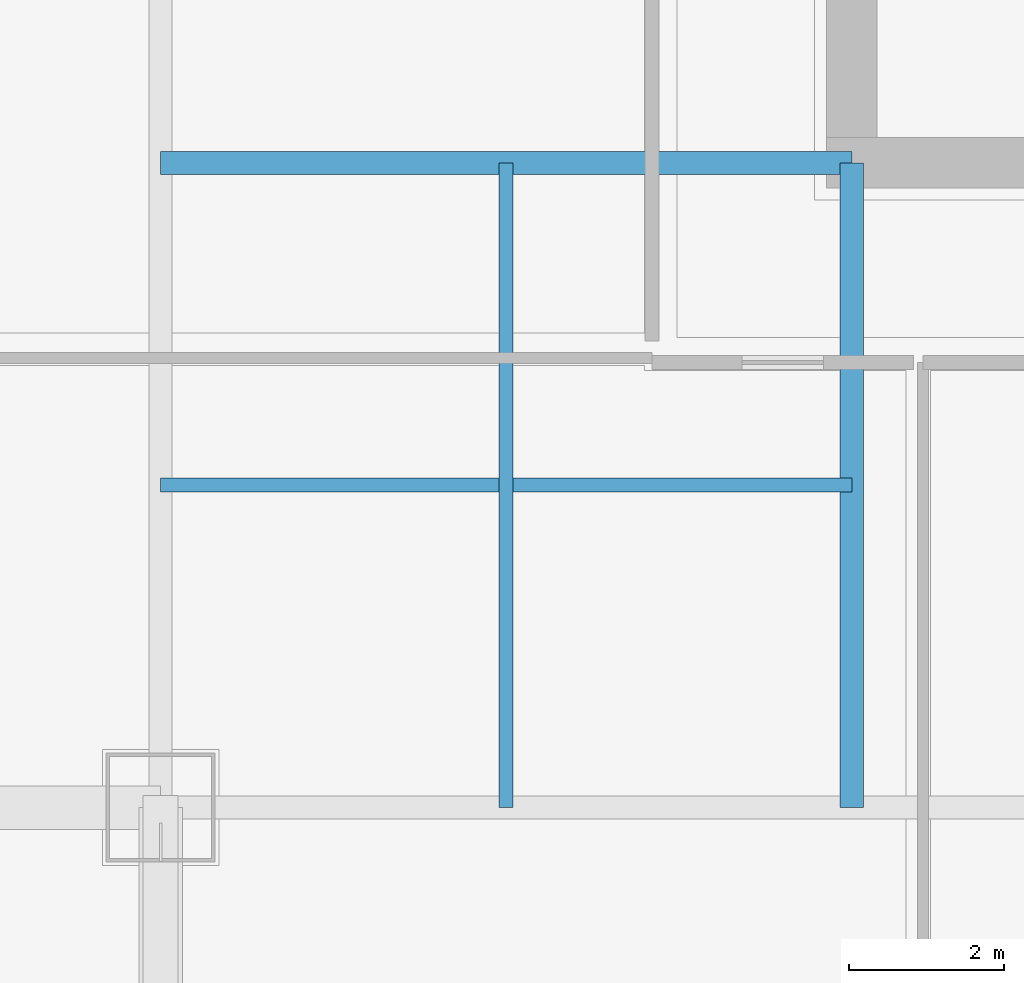
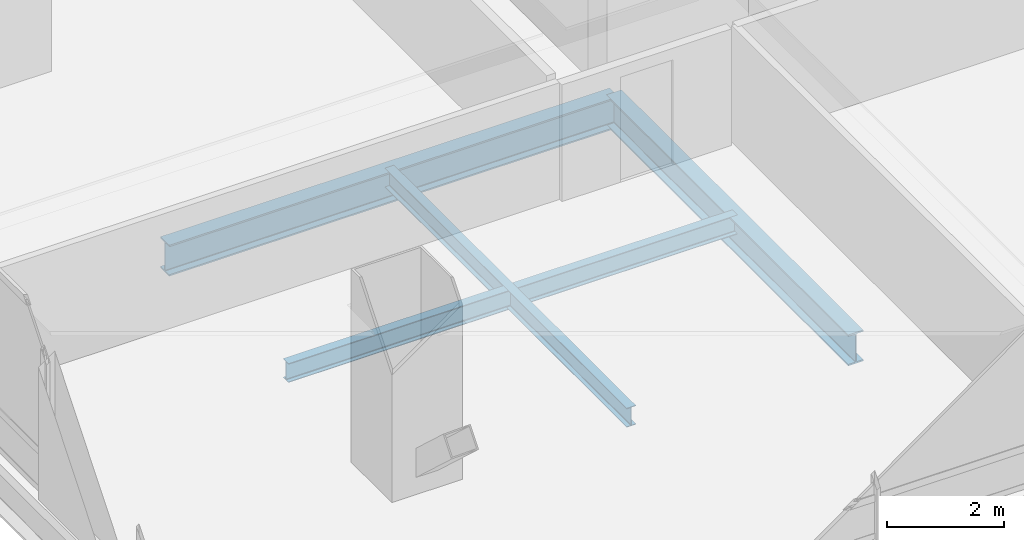
# One storey, part 4 of 46: 4 beams.
"""IFC4 building model written with IfcOpenShell, lengths in metres."""

from ifc_helpers import new_model, si_unit, direction, frame, origin, origin_2d, place, context, subcontext, project, spatial, i_section, extrude, material, material_profile, profile_set, type_object, element, save


model = new_model("IFC4")

# Units and contexts
model_context = context("Model", 3, precision=1e-05, world=origin(), true_north=direction((0.0, 1.0)))
body_context = subcontext(model_context, "Body", "Model", "MODEL_VIEW")
ifc_project = project(units=[si_unit("LENGTHUNIT", "METRE"), si_unit("AREAUNIT", "SQUARE_METRE"), si_unit("VOLUMEUNIT", "CUBIC_METRE"), si_unit("PLANEANGLEUNIT", "RADIAN"), si_unit("MASSUNIT", "GRAM", prefix="KILO")], contexts=[model_context])

# Site, building, storey
site_placement = place(None, origin())
site = spatial("IfcSite", under=ifc_project, at=site_placement, CompositionType="ELEMENT")
building_placement = place(site_placement, origin())
building = spatial("IfcBuilding", under=site, at=building_placement, Name="Punatoya Terracotta Tower", CompositionType="ELEMENT")
storey_placement = place(building_placement, frame((0.0, 0.0, 200.550048828125)))
storey = spatial("IfcBuildingStorey", under=building, at=storey_placement, Name="L47", CompositionType="ELEMENT", Elevation=200.550048828125)

# Beams
ifc_material = material(Name="Steel S355", Category="steel")
ifc_material_profile_1 = material_profile(ifc_material, i_section(OverallWidth=0.300048828125, OverallDepth=0.64990234375, WebThickness=0.01611328125, FlangeThickness=0.031005859375, FilletRadius=0.01806640625, at=origin_2d()))
ifc_profile_set_1 = profile_set([ifc_material_profile_1], Name="Steel S355")
beam_type_1 = type_object("IfcBeamType", Name="BM-PRI-650", PredefinedType="BEAM", material=ifc_profile_set_1)
beam_1_placement = place(storey_placement, frame((-19.10009765625, -9.199951171875, -0.545166015625), z_axis=(1.0, 0.0, 0.0), x_axis=(0.0, 1.0, 0.0)))
element("IfcBeam", 1, at=beam_1_placement, inside=storey, type_object=beam_type_1, Name="BM-L47-PR-WS", PredefinedType="BEAM", context=body_context, shape_type="SweptSolid", body=[
    extrude(i_section(OverallWidth=0.300048828125, OverallDepth=0.64990234375, WebThickness=0.01611328125, FlangeThickness=0.031005859375, FilletRadius=0.01806640625, at=origin_2d()), origin(), (0.0, 0.0, 1.0), 8.900146484375),
])
beam_2_placement = place(storey_placement, frame((-10.199951171875, -17.5, -0.545166015625), z_axis=(0.0, 1.0, 0.0), x_axis=(-1.0, 0.0, 0.0)))
element("IfcBeam", 2, at=beam_2_placement, inside=storey, type_object=beam_type_1, Name="BM-L47-PR-S1", PredefinedType="BEAM", context=body_context, shape_type="SweptSolid", body=[
    extrude(i_section(OverallWidth=0.300048828125, OverallDepth=0.64990234375, WebThickness=0.01611328125, FlangeThickness=0.031005859375, FilletRadius=0.01806640625, at=origin_2d()), origin(), (0.0, 0.0, 1.0), 8.300048828125),
])
ifc_material_profile_2 = material_profile(ifc_material, i_section(OverallWidth=0.179931640625, OverallDepth=0.39990234375, WebThickness=0.008544921875, FlangeThickness=0.013427734375, FilletRadius=0.01806640625, at=origin_2d()))
ifc_profile_set_2 = profile_set([ifc_material_profile_2], Name="Steel S355")
beam_type_2 = type_object("IfcBeamType", Name="BM-SEC-400", PredefinedType="JOIST", material=ifc_profile_set_2)
beam_3_placement = place(storey_placement, frame((-19.10009765625, -13.35009765625, -0.420166015625), z_axis=(1.0, 0.0, 0.0), x_axis=(0.0, 1.0, 0.0)))
element("IfcBeam", 3, at=beam_3_placement, inside=storey, type_object=beam_type_2, Name="BM-L47-SJS-1", PredefinedType="JOIST", context=body_context, shape_type="SweptSolid", body=[
    extrude(i_section(OverallWidth=0.179931640625, OverallDepth=0.39990234375, WebThickness=0.008544921875, FlangeThickness=0.013427734375, FilletRadius=0.01806640625, at=origin_2d()), origin(), (0.0, 0.0, 1.0), 8.900146484375),
])
beam_4_placement = place(storey_placement, frame((-14.64990234375, -17.5, -0.420166015625), z_axis=(0.0, 1.0, 0.0), x_axis=(-1.0, 0.0, 0.0)))
element("IfcBeam", 4, at=beam_4_placement, inside=storey, type_object=beam_type_2, Name="BM-L47-SJW-1", PredefinedType="JOIST", context=body_context, shape_type="SweptSolid", body=[
    extrude(i_section(OverallWidth=0.179931640625, OverallDepth=0.39990234375, WebThickness=0.008544921875, FlangeThickness=0.013427734375, FilletRadius=0.01806640625, at=origin_2d()), origin(), (0.0, 0.0, 1.0), 8.300048828125),
])

save(model, "model.ifc")
